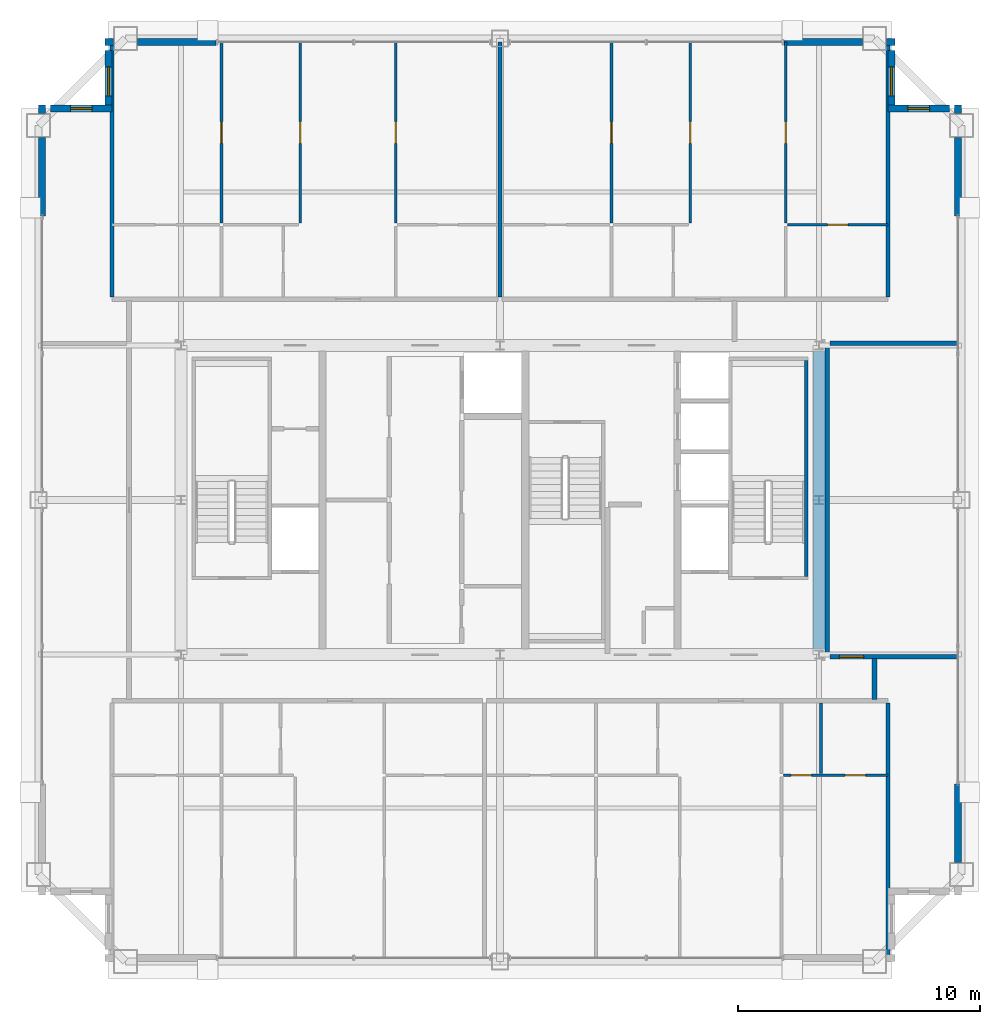
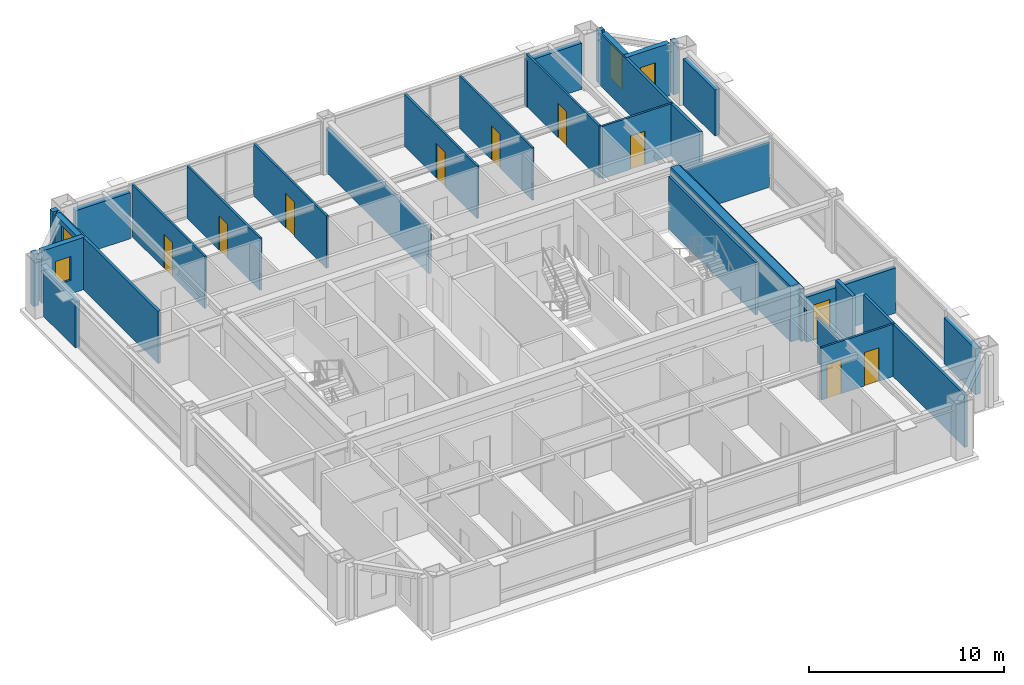
# One storey, part 33 of 35: 32 walls, 10 doors, 4 windows, 14 openings.
"""IFC4 building model written with IfcOpenShell, lengths in metres."""

from ifc_helpers import new_model, si_unit, direction, frame, frame_2d, origin, place, context, subcontext, project, spatial, rectangle, extrude, source, transform, mapped, material, layer, layer_set, type_object, element, fill, save


model = new_model("IFC4")

# Units and contexts
model_context = context("Model", 3, precision=1e-05, world=origin(), true_north=direction((0.0, 1.0)))
body_context = subcontext(model_context, "Body", "Model", "MODEL_VIEW")
ifc_project = project(units=[si_unit("LENGTHUNIT", "METRE"), si_unit("AREAUNIT", "SQUARE_METRE"), si_unit("VOLUMEUNIT", "CUBIC_METRE"), si_unit("PLANEANGLEUNIT", "RADIAN"), si_unit("MASSUNIT", "GRAM", prefix="KILO"), si_unit("THERMODYNAMICTEMPERATUREUNIT", "KELVIN"), si_unit("POWERUNIT", "WATT")], contexts=[model_context])

# Site, building, storey
site_placement = place(None, origin())
site = spatial("IfcSite", under=ifc_project, at=site_placement, CompositionType="ELEMENT")
building_placement = place(site_placement, origin())
building = spatial("IfcBuilding", under=site, at=building_placement, Name="Yuzanri Waterfront Tower", CompositionType="ELEMENT")
storey_placement = place(building_placement, frame((0.0, 0.0, 296.10009765625)))
storey = spatial("IfcBuildingStorey", under=building, at=storey_placement, Name="L79", CompositionType="ELEMENT", Elevation=296.10009765625)

# Wall, openings, doors
ifc_material_1 = material(Name="Moisture-Resistant Gypsum Stud Wall", Category="gypsum")
ifc_layer_1 = layer(ifc_material_1, 0.1201171875)
ifc_layer_set_1 = layer_set([ifc_layer_1], Name="Moisture-Resistant Gypsum Stud Wall")
wall_type_1 = type_object("IfcWallType", Name="Bathroom and Kitchen Wet Partition 120", PredefinedType="PARTITIONING", material=ifc_layer_set_1)
wall_1_placement = place(storey_placement, frame((48.738037109375, 14.409912109375, 0.0), z_axis=(0.0, 0.0, 1.0), x_axis=(1.0, 0.0, 0.0)))
wall_1 = element("IfcWall", 1, at=wall_1_placement, inside=storey, type_object=wall_type_1, Name="L79 Partition UW-L79-HS2-SUB-6-N", PredefinedType="PARTITIONING", context=body_context, shape_type="SweptSolid", body=[
    extrude(rectangle(XDim=4.322021484375, YDim=0.1201171875, at=frame_2d((2.1611328125, 0.0))), origin(), (0.0, 0.0, 1.0), 3.27978515625),
])
opening_1_placement = place(wall_1_placement, frame((2.547119140625, 0.0, 0.0)))
opening_1 = element("IfcOpeningElement", 2, at=opening_1_placement, cuts=wall_1, Name="Opening ID-0850", PredefinedType="OPENING", context=body_context, shape_type="SweptSolid", body=[
    extrude(rectangle(XDim=0.85009765625, YDim=2.10009765625, at=frame_2d((0.425048828125, 1.050048828125))), frame((0.0, 0.074951171875, 0.0), z_axis=(0.0, -1.0, 0.0), x_axis=(1.0, 0.0, 0.0)), (0.0, 0.0, 1.0), 0.14990234375),
])
opening_2_placement = place(wall_1_placement, frame((0.305908203125, 0.0, 0.0)))
opening_2 = element("IfcOpeningElement", 3, at=opening_2_placement, cuts=wall_1, Name="Opening ID-0850", PredefinedType="OPENING", context=body_context, shape_type="SweptSolid", body=[
    extrude(rectangle(XDim=0.85009765625, YDim=2.10009765625, at=frame_2d((0.425048828125, 1.050048828125))), frame((0.0, 0.074951171875, 0.0), z_axis=(0.0, -1.0, 0.0), x_axis=(1.0, 0.0, 0.0)), (0.0, 0.0, 1.0), 0.14990234375),
])
ifc_material_2 = material(Name="Moisture-Resistant Lacquered Timber", Category="wood")
door_type_1 = type_object("IfcDoorType", Name="En-Suite Bathroom and Kitchen Swing Door 850x2100", OperationType="NOTDEFINED", PredefinedType="DOOR", material=ifc_material_2)
shared_shape_1 = source(origin(), body_context, "Body", "SweptSolid", [
    extrude(rectangle(XDim=0.85009765625, YDim=2.10009765625, at=frame_2d((0.425048828125, 1.050048828125))), frame((0.0, 0.02490234375, 0.0), z_axis=(0.0, -1.0, 0.0), x_axis=(1.0, 0.0, 0.0)), (0.0, 0.0, 1.0), 0.050048828125),
])
door_1_placement = place(opening_1_placement, origin())
door_1 = element("IfcDoor", 4, at=door_1_placement, inside=storey, type_object=door_type_1, Name="L79 Suite Interior Room Door", OperationType="SINGLE_SWING_LEFT", OverallHeight=2.10009765625, OverallWidth=0.85009765625, PredefinedType="DOOR", context=body_context, shape_type="MappedRepresentation", body=[
    mapped(shared_shape_1, transform((0.0, 0.0, 0.0), scale=1.0)),
])
fill(opening_1, door_1)
door_2_placement = place(opening_2_placement, origin())
door_2 = element("IfcDoor", 5, at=door_2_placement, inside=storey, type_object=door_type_1, Name="L79 Suite Interior Room Door", OperationType="SINGLE_SWING_RIGHT", OverallHeight=2.10009765625, OverallWidth=0.85009765625, PredefinedType="DOOR", context=body_context, shape_type="MappedRepresentation", body=[
    mapped(shared_shape_1, transform((0.0, 0.0, 0.0), scale=1.0)),
])
fill(opening_2, door_2)

# Wall, opening, door
wall_2_placement = place(storey_placement, frame((25.469970703125, 37.27001953125, 0.0), z_axis=(0.0, 0.0, 1.0), x_axis=(0.0, 1.0, 0.0)))
wall_2 = element("IfcWall", 6, at=wall_2_placement, inside=storey, type_object=wall_type_1, Name="L79 Partition UW-L79-HN1-SUB-4-E", PredefinedType="PARTITIONING", context=body_context, shape_type="SweptSolid", body=[
    extrude(rectangle(XDim=7.47998046875, YDim=0.1201171875, at=frame_2d((3.739990234375, 0.0))), origin(), (0.0, 0.0, 1.0), 3.27978515625),
])
opening_3_placement = place(wall_2_placement, frame((3.2900390625, 0.0, 0.0)))
opening_3 = element("IfcOpeningElement", 7, at=opening_3_placement, cuts=wall_2, Name="Opening ID-0900", PredefinedType="OPENING", context=body_context, shape_type="SweptSolid", body=[
    extrude(rectangle(XDim=0.89990234375, YDim=2.14990234375, at=frame_2d((0.449951171875, 1.074951171875))), frame((0.0, 0.074951171875, 0.0), z_axis=(0.0, -1.0, 0.0), x_axis=(1.0, 0.0, 0.0)), (0.0, 0.0, 1.0), 0.14990234375),
])
ifc_material_3 = material(Name="Stained Walnut Veneer Timber", Category="wood")
door_type_2 = type_object("IfcDoorType", Name="Bedroom and Study Interior Swing Door 900x2150", OperationType="NOTDEFINED", PredefinedType="DOOR", material=ifc_material_3)
shared_shape_2 = source(origin(), body_context, "Body", "SweptSolid", [
    extrude(rectangle(XDim=0.89990234375, YDim=2.14990234375, at=frame_2d((0.449951171875, 1.074951171875))), frame((0.0, 0.02490234375, 0.0), z_axis=(0.0, -1.0, 0.0), x_axis=(1.0, 0.0, 0.0)), (0.0, 0.0, 1.0), 0.050048828125),
])
door_3_placement = place(opening_3_placement, origin())
door_3 = element("IfcDoor", 8, at=door_3_placement, inside=storey, type_object=door_type_2, Name="L79 Suite Interior Room Door", OperationType="SINGLE_SWING_RIGHT", OverallHeight=2.14990234375, OverallWidth=0.89990234375, PredefinedType="DOOR", context=body_context, shape_type="MappedRepresentation", body=[
    mapped(shared_shape_2, transform((0.0, 0.0, 0.0), scale=1.0)),
])
fill(opening_3, door_3)

wall_3_placement = place(storey_placement, frame((32.68505859375, 37.27001953125, 0.0), z_axis=(0.0, 0.0, 1.0), x_axis=(0.0, 1.0, 0.0)))
wall_3 = element("IfcWall", 9, at=wall_3_placement, inside=storey, type_object=wall_type_1, Name="L79 Partition UW-L79-HN1-SUB-5-W", PredefinedType="PARTITIONING", context=body_context, shape_type="SweptSolid", body=[
    extrude(rectangle(XDim=7.47998046875, YDim=0.1201171875, at=frame_2d((3.739990234375, 0.0))), origin(), (0.0, 0.0, 1.0), 3.27978515625),
])
opening_4_placement = place(wall_3_placement, frame((3.2900390625, 0.0, 0.0)))
opening_4 = element("IfcOpeningElement", 10, at=opening_4_placement, cuts=wall_3, Name="Opening ID-0900", PredefinedType="OPENING", context=body_context, shape_type="SweptSolid", body=[
    extrude(rectangle(XDim=0.89990234375, YDim=2.14990234375, at=frame_2d((0.449951171875, 1.074951171875))), frame((0.0, 0.074951171875, 0.0), z_axis=(0.0, -1.0, 0.0), x_axis=(1.0, 0.0, 0.0)), (0.0, 0.0, 1.0), 0.14990234375),
])
door_4_placement = place(opening_4_placement, origin())
door_4 = element("IfcDoor", 11, at=door_4_placement, inside=storey, type_object=door_type_2, Name="L79 Suite Interior Room Door", OperationType="SINGLE_SWING_LEFT", OverallHeight=2.14990234375, OverallWidth=0.89990234375, PredefinedType="DOOR", context=body_context, shape_type="MappedRepresentation", body=[
    mapped(shared_shape_2, transform((0.0, 0.0, 0.0), scale=1.0)),
])
fill(opening_4, door_4)

wall_4_placement = place(storey_placement, frame((28.73388671875, 37.27001953125, 0.0), z_axis=(0.0, 0.0, 1.0), x_axis=(0.0, 1.0, 0.0)))
wall_4 = element("IfcWall", 12, at=wall_4_placement, inside=storey, type_object=wall_type_1, Name="L79 Partition UW-L79-HN1-SUB-6-E", PredefinedType="PARTITIONING", context=body_context, shape_type="SweptSolid", body=[
    extrude(rectangle(XDim=7.47998046875, YDim=0.1201171875, at=frame_2d((3.739990234375, 0.0))), origin(), (0.0, 0.0, 1.0), 3.27978515625),
])
opening_5_placement = place(wall_4_placement, frame((3.2900390625, 0.0, 0.0)))
opening_5 = element("IfcOpeningElement", 13, at=opening_5_placement, cuts=wall_4, Name="Opening ID-0900", PredefinedType="OPENING", context=body_context, shape_type="SweptSolid", body=[
    extrude(rectangle(XDim=0.89990234375, YDim=2.14990234375, at=frame_2d((0.449951171875, 1.074951171875))), frame((0.0, 0.074951171875, 0.0), z_axis=(0.0, -1.0, 0.0), x_axis=(1.0, 0.0, 0.0)), (0.0, 0.0, 1.0), 0.14990234375),
])
door_5_placement = place(opening_5_placement, origin())
door_5 = element("IfcDoor", 14, at=door_5_placement, inside=storey, type_object=door_type_2, Name="L79 Suite Interior Room Door", OperationType="SINGLE_SWING_RIGHT", OverallHeight=2.14990234375, OverallWidth=0.89990234375, PredefinedType="DOOR", context=body_context, shape_type="MappedRepresentation", body=[
    mapped(shared_shape_2, transform((0.0, 0.0, 0.0), scale=1.0)),
])
fill(opening_5, door_5)

wall_5_placement = place(storey_placement, frame((48.905029296875, 37.18994140625, 0.0), z_axis=(0.0, 0.0, 1.0), x_axis=(1.0, 0.0, 0.0)))
wall_5 = element("IfcWall", 15, at=wall_5_placement, inside=storey, type_object=wall_type_1, Name="L79 Partition UW-L79-HN2-SUB-3-N", PredefinedType="PARTITIONING", context=body_context, shape_type="SweptSolid", body=[
    extrude(rectangle(XDim=4.155029296875, YDim=0.1201171875, at=frame_2d((2.07763671875, 0.0))), origin(), (0.0, 0.0, 1.0), 3.27978515625),
])
opening_6_placement = place(wall_5_placement, frame((1.652587890625, 0.0, 0.0)))
opening_6 = element("IfcOpeningElement", 16, at=opening_6_placement, cuts=wall_5, Name="Opening ID-0850", PredefinedType="OPENING", context=body_context, shape_type="SweptSolid", body=[
    extrude(rectangle(XDim=0.85009765625, YDim=2.10009765625, at=frame_2d((0.425048828125, 1.050048828125))), frame((0.0, 0.074951171875, 0.0), z_axis=(0.0, -1.0, 0.0), x_axis=(1.0, 0.0, 0.0)), (0.0, 0.0, 1.0), 0.14990234375),
])
door_6_placement = place(opening_6_placement, origin())
door_6 = element("IfcDoor", 17, at=door_6_placement, inside=storey, type_object=door_type_1, Name="L79 Suite Interior Room Door", OperationType="SINGLE_SWING_RIGHT", OverallHeight=2.10009765625, OverallWidth=0.85009765625, PredefinedType="DOOR", context=body_context, shape_type="MappedRepresentation", body=[
    mapped(shared_shape_1, transform((0.0, 0.0, 0.0), scale=1.0)),
])
fill(opening_6, door_6)

wall_6_placement = place(storey_placement, frame((41.610107421875, 37.27001953125, 0.0), z_axis=(0.0, 0.0, 1.0), x_axis=(0.0, 1.0, 0.0)))
wall_6 = element("IfcWall", 18, at=wall_6_placement, inside=storey, type_object=wall_type_1, Name="L79 Partition UW-L79-HN2-SUB-4-E", PredefinedType="PARTITIONING", context=body_context, shape_type="SweptSolid", body=[
    extrude(rectangle(XDim=7.47998046875, YDim=0.1201171875, at=frame_2d((3.739990234375, 0.0))), origin(), (0.0, 0.0, 1.0), 3.27978515625),
])
opening_7_placement = place(wall_6_placement, frame((3.2900390625, 0.0, 0.0)))
opening_7 = element("IfcOpeningElement", 19, at=opening_7_placement, cuts=wall_6, Name="Opening ID-0900", PredefinedType="OPENING", context=body_context, shape_type="SweptSolid", body=[
    extrude(rectangle(XDim=0.89990234375, YDim=2.14990234375, at=frame_2d((0.449951171875, 1.074951171875))), frame((0.0, 0.074951171875, 0.0), z_axis=(0.0, -1.0, 0.0), x_axis=(1.0, 0.0, 0.0)), (0.0, 0.0, 1.0), 0.14990234375),
])
door_7_placement = place(opening_7_placement, origin())
door_7 = element("IfcDoor", 20, at=door_7_placement, inside=storey, type_object=door_type_2, Name="L79 Suite Interior Room Door", OperationType="SINGLE_SWING_LEFT", OverallHeight=2.14990234375, OverallWidth=0.89990234375, PredefinedType="DOOR", context=body_context, shape_type="MappedRepresentation", body=[
    mapped(shared_shape_2, transform((0.0, 0.0, 0.0), scale=1.0)),
])
fill(opening_7, door_7)

wall_7_placement = place(storey_placement, frame((48.824951171875, 37.27001953125, 0.0), z_axis=(0.0, 0.0, 1.0), x_axis=(0.0, 1.0, 0.0)))
wall_7 = element("IfcWall", 21, at=wall_7_placement, inside=storey, type_object=wall_type_1, Name="L79 Partition UW-L79-HN2-SUB-5-W", PredefinedType="PARTITIONING", context=body_context, shape_type="SweptSolid", body=[
    extrude(rectangle(XDim=7.47998046875, YDim=0.1201171875, at=frame_2d((3.739990234375, 0.0))), origin(), (0.0, 0.0, 1.0), 3.27978515625),
])
opening_8_placement = place(wall_7_placement, frame((3.2900390625, 0.0, 0.0)))
opening_8 = element("IfcOpeningElement", 22, at=opening_8_placement, cuts=wall_7, Name="Opening ID-0900", PredefinedType="OPENING", context=body_context, shape_type="SweptSolid", body=[
    extrude(rectangle(XDim=0.89990234375, YDim=2.14990234375, at=frame_2d((0.449951171875, 1.074951171875))), frame((0.0, 0.074951171875, 0.0), z_axis=(0.0, -1.0, 0.0), x_axis=(1.0, 0.0, 0.0)), (0.0, 0.0, 1.0), 0.14990234375),
])
door_8_placement = place(opening_8_placement, origin())
door_8 = element("IfcDoor", 23, at=door_8_placement, inside=storey, type_object=door_type_2, Name="L79 Suite Interior Room Door", OperationType="SINGLE_SWING_RIGHT", OverallHeight=2.14990234375, OverallWidth=0.89990234375, PredefinedType="DOOR", context=body_context, shape_type="MappedRepresentation", body=[
    mapped(shared_shape_2, transform((0.0, 0.0, 0.0), scale=1.0)),
])
fill(opening_8, door_8)

wall_8_placement = place(storey_placement, frame((44.8740234375, 37.27001953125, 0.0), z_axis=(0.0, 0.0, 1.0), x_axis=(0.0, 1.0, 0.0)))
wall_8 = element("IfcWall", 24, at=wall_8_placement, inside=storey, type_object=wall_type_1, Name="L79 Partition UW-L79-HN2-SUB-6-E", PredefinedType="PARTITIONING", context=body_context, shape_type="SweptSolid", body=[
    extrude(rectangle(XDim=7.47998046875, YDim=0.1201171875, at=frame_2d((3.739990234375, 0.0))), origin(), (0.0, 0.0, 1.0), 3.27978515625),
])
opening_9_placement = place(wall_8_placement, frame((3.2900390625, 0.0, 0.0)))
opening_9 = element("IfcOpeningElement", 25, at=opening_9_placement, cuts=wall_8, Name="Opening ID-0900", PredefinedType="OPENING", context=body_context, shape_type="SweptSolid", body=[
    extrude(rectangle(XDim=0.89990234375, YDim=2.14990234375, at=frame_2d((0.449951171875, 1.074951171875))), frame((0.0, 0.074951171875, 0.0), z_axis=(0.0, -1.0, 0.0), x_axis=(1.0, 0.0, 0.0)), (0.0, 0.0, 1.0), 0.14990234375),
])
door_9_placement = place(opening_9_placement, origin())
door_9 = element("IfcDoor", 26, at=door_9_placement, inside=storey, type_object=door_type_2, Name="L79 Suite Interior Room Door", OperationType="SINGLE_SWING_LEFT", OverallHeight=2.14990234375, OverallWidth=0.89990234375, PredefinedType="DOOR", context=body_context, shape_type="MappedRepresentation", body=[
    mapped(shared_shape_2, transform((0.0, 0.0, 0.0), scale=1.0)),
])
fill(opening_9, door_9)

# Wall, opening, window
ifc_material_4 = material(Name="Honed Chongqing Dark Basalt Stone", Category="masonry")
ifc_layer_2 = layer(ifc_material_4, 0.300048828125)
ifc_layer_set_2 = layer_set([ifc_layer_2], Name="Honed Chongqing Dark Basalt Stone")
wall_type_2 = type_object("IfcWallType", Name="Bronze Rainscreen Insulated Spandrel Portal Wall 300", PredefinedType="SOLIDWALL", material=ifc_layer_set_2)
wall_9_placement = place(storey_placement, frame((20.949951171875, 42.0, 0.0), z_axis=(0.0, 0.0, 1.0), x_axis=(-1.0, 0.0, 0.0)))
wall_9 = element("IfcWall", 27, at=wall_9_placement, inside=storey, type_object=wall_type_2, Name="L79 Notched Corner Masonry Wall NW-X", PredefinedType="SOLIDWALL", context=body_context, shape_type="SweptSolid", body=[
    extrude(rectangle(XDim=2.550048828125, YDim=0.300048828125, at=frame_2d((1.27490234375, 0.0))), origin(), (0.0, 0.0, 1.0), 3.27978515625),
])
opening_10_placement = place(wall_9_placement, frame((0.824951171875, 0.0, 0.85009765625)))
opening_10 = element("IfcOpeningElement", 28, at=opening_10_placement, cuts=wall_9, Name="Opening WN-05", PredefinedType="OPENING", context=body_context, shape_type="SweptSolid", body=[
    extrude(rectangle(XDim=0.89990234375, YDim=1.5, at=frame_2d((0.449951171875, 0.75))), frame((0.0, 0.1650390625, 0.0), z_axis=(0.0, -1.0, 0.0), x_axis=(1.0, 0.0, 0.0)), (0.0, 0.0, 1.0), 0.329833984375),
])
ifc_material_5 = material(Name="Double-Silver Low-E Insulated Glass", Category="glass")
window_type_1 = type_object("IfcWindowType", Name="Anodized Bronze Service and Stairwell Smoke-Vent Window 900x1500", PartitioningType="SINGLE_PANEL", PredefinedType="WINDOW", material=ifc_material_5)
shared_shape_3 = source(origin(), body_context, "Body", "SweptSolid", [
    extrude(rectangle(XDim=0.89990234375, YDim=1.5, at=frame_2d((0.449951171875, 0.75))), frame((0.0, 0.030029296875, 0.0), z_axis=(0.0, -1.0, 0.0), x_axis=(1.0, 0.0, 0.0)), (0.0, 0.0, 1.0), 0.06005859375),
])
window_1_placement = place(opening_10_placement, origin())
window_1 = element("IfcWindow", 29, at=window_1_placement, inside=storey, type_object=window_type_1, Name="L79 Notched Corner Window NW-X", OverallHeight=1.5, OverallWidth=0.89990234375, PartitioningType="SINGLE_PANEL", PredefinedType="WINDOW", context=body_context, shape_type="MappedRepresentation", body=[
    mapped(shared_shape_3, transform((0.0, 0.0, 0.0), scale=1.0)),
])
fill(opening_10, window_1)

wall_10_placement = place(storey_placement, frame((20.800048828125, 44.39990234375, 0.0), z_axis=(0.0, 0.0, 1.0), x_axis=(0.0, -1.0, 0.0)))
wall_10 = element("IfcWall", 30, at=wall_10_placement, inside=storey, type_object=wall_type_2, Name="L79 Notched Corner Masonry Wall NW-Y", PredefinedType="SOLIDWALL", context=body_context, shape_type="SweptSolid", body=[
    extrude(rectangle(XDim=2.5498046875, YDim=0.300048828125, at=frame_2d((1.27490234375, 0.0))), origin(), (0.0, 0.0, 1.0), 3.27978515625),
])
opening_11_placement = place(wall_10_placement, frame((0.675048828125, 0.0, 0.85009765625)))
opening_11 = element("IfcOpeningElement", 31, at=opening_11_placement, cuts=wall_10, Name="Opening WN-02", PredefinedType="OPENING", context=body_context, shape_type="SweptSolid", body=[
    extrude(rectangle(XDim=1.199951171875, YDim=2.10009765625, at=frame_2d((0.60009765625, 1.050048828125))), frame((0.0, 0.1650390625, 0.0), z_axis=(0.0, -1.0, 0.0), x_axis=(1.0, 0.0, 0.0)), (0.0, 0.0, 1.0), 0.329833984375),
])
ifc_material_6 = material(Name="Double-Silver Low-E Insulated Glass", Category="glass")
window_type_2 = type_object("IfcWindowType", Name="Anodized Bronze Notched Corner Deep-Set Slot Window 1200x2100", PartitioningType="SINGLE_PANEL", PredefinedType="WINDOW", material=ifc_material_6)
shared_shape_4 = source(origin(), body_context, "Body", "SweptSolid", [
    extrude(rectangle(XDim=1.199951171875, YDim=2.10009765625, at=frame_2d((0.60009765625, 1.050048828125))), frame((0.0, 0.030029296875, 0.0), z_axis=(0.0, -1.0, 0.0), x_axis=(1.0, 0.0, 0.0)), (0.0, 0.0, 1.0), 0.06005859375),
])
window_2_placement = place(opening_11_placement, origin())
window_2 = element("IfcWindow", 32, at=window_2_placement, inside=storey, type_object=window_type_2, Name="L79 Notched Corner Window NW-Y", OverallHeight=2.10009765625, OverallWidth=1.199951171875, PartitioningType="SINGLE_PANEL", PredefinedType="WINDOW", context=body_context, shape_type="MappedRepresentation", body=[
    mapped(shared_shape_4, transform((0.0, 0.0, 0.0), scale=1.0)),
])
fill(opening_11, window_2)

wall_11_placement = place(storey_placement, frame((55.60009765625, 42.0, 0.0), z_axis=(0.0, 0.0, 1.0), x_axis=(-1.0, 0.0, 0.0)))
wall_11 = element("IfcWall", 33, at=wall_11_placement, inside=storey, type_object=wall_type_2, Name="L79 Notched Corner Masonry Wall NE-X", PredefinedType="SOLIDWALL", context=body_context, shape_type="SweptSolid", body=[
    extrude(rectangle(XDim=2.550048828125, YDim=0.300048828125, at=frame_2d((1.27490234375, 0.0))), origin(), (0.0, 0.0, 1.0), 3.27978515625),
])
opening_12_placement = place(wall_11_placement, frame((0.824951171875, 0.0, 0.85009765625)))
opening_12 = element("IfcOpeningElement", 34, at=opening_12_placement, cuts=wall_11, Name="Opening WN-05", PredefinedType="OPENING", context=body_context, shape_type="SweptSolid", body=[
    extrude(rectangle(XDim=0.89990234375, YDim=1.5, at=frame_2d((0.449951171875, 0.75))), frame((0.0, 0.1650390625, 0.0), z_axis=(0.0, -1.0, 0.0), x_axis=(1.0, 0.0, 0.0)), (0.0, 0.0, 1.0), 0.329833984375),
])
window_3_placement = place(opening_12_placement, origin())
window_3 = element("IfcWindow", 35, at=window_3_placement, inside=storey, type_object=window_type_1, Name="L79 Notched Corner Window NE-X", OverallHeight=1.5, OverallWidth=0.89990234375, PartitioningType="SINGLE_PANEL", PredefinedType="WINDOW", context=body_context, shape_type="MappedRepresentation", body=[
    mapped(shared_shape_3, transform((0.0, 0.0, 0.0), scale=1.0)),
])
fill(opening_12, window_3)

wall_12_placement = place(storey_placement, frame((53.199951171875, 41.85009765625, 0.0), z_axis=(0.0, 0.0, 1.0), x_axis=(0.0, 1.0, 0.0)))
wall_12 = element("IfcWall", 36, at=wall_12_placement, inside=storey, type_object=wall_type_2, Name="L79 Notched Corner Masonry Wall NE-Y", PredefinedType="SOLIDWALL", context=body_context, shape_type="SweptSolid", body=[
    extrude(rectangle(XDim=2.5498046875, YDim=0.300048828125, at=frame_2d((1.27490234375, 0.0))), origin(), (0.0, 0.0, 1.0), 3.27978515625),
])
opening_13_placement = place(wall_12_placement, frame((0.675048828125, 0.0, 0.85009765625)))
opening_13 = element("IfcOpeningElement", 37, at=opening_13_placement, cuts=wall_12, Name="Opening WN-02", PredefinedType="OPENING", context=body_context, shape_type="SweptSolid", body=[
    extrude(rectangle(XDim=1.199951171875, YDim=2.10009765625, at=frame_2d((0.60009765625, 1.050048828125))), frame((0.0, 0.1650390625, 0.0), z_axis=(0.0, -1.0, 0.0), x_axis=(1.0, 0.0, 0.0)), (0.0, 0.0, 1.0), 0.329833984375),
])
window_4_placement = place(opening_13_placement, origin())
window_4 = element("IfcWindow", 38, at=window_4_placement, inside=storey, type_object=window_type_2, Name="L79 Notched Corner Window NE-Y", OverallHeight=2.10009765625, OverallWidth=1.199951171875, PartitioningType="SINGLE_PANEL", PredefinedType="WINDOW", context=body_context, shape_type="MappedRepresentation", body=[
    mapped(shared_shape_4, transform((0.0, 0.0, 0.0), scale=1.0)),
])
fill(opening_13, window_4)

# Wall, opening, door
ifc_material_7 = material(Name="Autoclaved Aerated Concrete Blockwork", Category="masonry")
ifc_layer_3 = layer(ifc_material_7, 0.199951171875)
ifc_layer_set_3 = layer_set([ifc_layer_3], Name="Autoclaved Aerated Concrete Blockwork")
wall_type_3 = type_object("IfcWallType", Name="Corridor and Unit Party Fire Wall 200", PredefinedType="PARTITIONING", material=ifc_layer_set_3)
wall_13_placement = place(storey_placement, frame((50.64990234375, 19.31005859375, 0.0), z_axis=(0.0, 0.0, 1.0), x_axis=(1.0, 0.0, 0.0)))
wall_13 = element("IfcWall", 39, at=wall_13_placement, inside=storey, type_object=wall_type_3, Name="L79 Partition UW-L79-050-CS", PredefinedType="PARTITIONING", context=body_context, shape_type="SweptSolid", body=[
    extrude(rectangle(XDim=5.300048828125, YDim=0.199951171875, at=frame_2d((2.64990234375, 0.0))), origin(), (0.0, 0.0, 1.0), 2.824951171875),
])
opening_14_placement = place(wall_13_placement, frame((0.39990234375, 0.0, 0.0)))
opening_14 = element("IfcOpeningElement", 40, at=opening_14_placement, cuts=wall_13, Name="Opening FD-1000", PredefinedType="OPENING", context=body_context, shape_type="SweptSolid", body=[
    extrude(rectangle(XDim=1.0, YDim=2.199951171875, at=frame_2d((0.5, 1.10009765625))), frame((0.0, 0.11474609375, 0.0), z_axis=(0.0, -1.0, 0.0), x_axis=(1.0, 0.0, 0.0)), (0.0, 0.0, 1.0), 0.229736328125),
])
ifc_material_8 = material(Name="Engineered Oak Fire-Rated Timber", Category="wood")
door_type_3 = type_object("IfcDoorType", Name="Guestroom and Apartment Entrance Fire Door 1000x2200", OperationType="NOTDEFINED", PredefinedType="DOOR", material=ifc_material_8)
shared_shape_5 = source(origin(), body_context, "Body", "SweptSolid", [
    extrude(rectangle(XDim=1.0, YDim=2.199951171875, at=frame_2d((0.5, 1.10009765625))), frame((0.0, 0.02490234375, 0.0), z_axis=(0.0, -1.0, 0.0), x_axis=(1.0, 0.0, 0.0)), (0.0, 0.0, 1.0), 0.050048828125),
])
door_10_placement = place(opening_14_placement, origin())
door_10 = element("IfcDoor", 41, at=door_10_placement, inside=storey, type_object=door_type_3, Name="L79 High-Rise E Wellness Gym Studio Entrance Door", OperationType="SINGLE_SWING_LEFT", OverallHeight=2.199951171875, OverallWidth=1.0, PredefinedType="DOOR", context=body_context, shape_type="MappedRepresentation", body=[
    mapped(shared_shape_5, transform((0.0, 0.0, 0.0), scale=1.0)),
])
fill(opening_14, door_10)

# Walls
ifc_material_9 = material(Name="Concrete C45", Category="concrete")
ifc_layer_4 = layer(ifc_material_9, 0.47998046875)
ifc_layer_set_4 = layer_set([ifc_layer_4], Name="Concrete C45")
wall_type_4 = type_object("IfcWallType", Name="Concrete C45 High-Rise Core Shear Wall 480", PredefinedType="SHEAR", material=ifc_layer_set_4)
shared_shape_6 = source(origin(), body_context, "Body", "SweptSolid", [
    extrude(rectangle(XDim=12.320068359375, YDim=0.47998046875, at=frame_2d((6.16015625, 0.0))), origin(), (0.0, 0.0, 1.0), 3.5),
])
wall_14_placement = place(storey_placement, frame((50.199951171875, 19.639892578125, 0.0), z_axis=(0.0, 0.0, 1.0), x_axis=(0.0, 1.0, 0.0)))
element("IfcWall", 42, at=wall_14_placement, inside=storey, type_object=wall_type_4, Name="L79 Core East Shear Wall", PredefinedType="SHEAR", context=body_context, shape_type="MappedRepresentation", body=[
    mapped(shared_shape_6, transform((0.0, 0.0, 0.0), scale=1.0)),
])
shared_shape_7 = source(origin(), body_context, "Body", "SweptSolid", [
    extrude(rectangle(XDim=0.35009765625, YDim=0.300048828125, at=frame_2d((0.175048828125, 0.0))), origin(), (0.0, 0.0, 1.0), 3.27978515625),
])
for number, where, z_axis, x_axis, name in (
    (43, (20.64990234375, 44.75, 0.0), (0.0, 0.0, 1.0), (1.0, 0.0, 0.0), "L79 Corner Column Shoulder Return CNW"),
    (44, (53.0, 44.75, 0.0), (0.0, 0.0, 1.0), (1.0, 0.0, 0.0), "L79 Corner Column Shoulder Return CNE"),
):
    element("IfcWall", number, at=place(storey_placement, frame(where, z_axis=z_axis, x_axis=x_axis)), inside=storey, type_object=wall_type_2, Name=name, PredefinedType="SOLIDWALL", context=body_context, shape_type="MappedRepresentation", body=[
        mapped(shared_shape_7, transform((0.0, 0.0, 0.0), scale=1.0)),
    ])
shared_shape_8 = source(origin(), body_context, "Body", "SweptSolid", [
    extrude(rectangle(XDim=0.349853515625, YDim=0.300048828125, at=frame_2d((0.1748046875, 0.0))), origin(), (0.0, 0.0, 1.0), 3.27978515625),
])
for number, where, z_axis, x_axis, name in (
    (45, (18.050048828125, 41.800048828125, 0.0), (0.0, 0.0, 1.0), (0.0, 1.0, 0.0), "L79 Corner Column Shoulder Return CWN"),
    (46, (55.949951171875, 41.800048828125, 0.0), (0.0, 0.0, 1.0), (0.0, 1.0, 0.0), "L79 Corner Column Shoulder Return CEN"),
):
    element("IfcWall", number, at=place(storey_placement, frame(where, z_axis=z_axis, x_axis=x_axis)), inside=storey, type_object=wall_type_2, Name=name, PredefinedType="SOLIDWALL", context=body_context, shape_type="MappedRepresentation", body=[
        mapped(shared_shape_8, transform((0.0, 0.0, 0.0), scale=1.0)),
    ])
shared_shape_9 = source(origin(), body_context, "Body", "SweptSolid", [
    extrude(rectangle(XDim=3.25, YDim=0.300048828125, at=frame_2d((1.625, 0.0))), origin(), (0.0, 0.0, 1.0), 2.885009765625),
])
for number, where, z_axis, x_axis, name in (
    (47, (22.0, 44.75, 0.0), (0.0, 0.0, 1.0), (1.0, 0.0, 0.0), "L79 N Left Braced Masonry Shoulder"),
    (48, (48.75, 44.75, 0.0), (0.0, 0.0, 1.0), (1.0, 0.0, 0.0), "L79 N Right Braced Masonry Shoulder"),
    (49, (18.050048828125, 37.550048828125, 0.0), (0.0, 0.0, 1.0), (0.0, 1.0, 0.0), "L79 W Right Braced Masonry Shoulder"),
    (50, (55.949951171875, 10.800048828125, 0.0), (0.0, 0.0, 1.0), (0.0, 1.0, 0.0), "L79 E Left Braced Masonry Shoulder"),
    (51, (55.949951171875, 37.550048828125, 0.0), (0.0, 0.0, 1.0), (0.0, 1.0, 0.0), "L79 E Right Braced Masonry Shoulder"),
):
    element("IfcWall", number, at=place(storey_placement, frame(where, z_axis=z_axis, x_axis=x_axis)), inside=storey, type_object=wall_type_2, Name=name, PredefinedType="SOLIDWALL", context=body_context, shape_type="MappedRepresentation", body=[
        mapped(shared_shape_9, transform((0.0, 0.0, 0.0), scale=1.0)),
    ])
ifc_material_10 = material(Name="Concrete C40", Category="concrete")
ifc_layer_5 = layer(ifc_material_10, 0.139892578125)
ifc_layer_set_5 = layer_set([ifc_layer_5], Name="Concrete C40")
wall_type_5 = type_object("IfcWallType", Name="Core Stair Liner and Hoistway Shaft Wall 140", PredefinedType="SOLIDWALL", material=ifc_layer_set_5)
shared_shape_10 = source(origin(), body_context, "Body", "SweptSolid", [
    extrude(rectangle(XDim=8.940185546875, YDim=0.139892578125, at=frame_2d((4.47021484375, 0.0))), origin(), (0.0, 0.0, 1.0), 3.27978515625),
])
wall_15_placement = place(storey_placement, frame((49.669921875, 22.639892578125, 0.0), z_axis=(0.0, 0.0, 1.0), x_axis=(0.0, 1.0, 0.0)))
element("IfcWall", 52, at=wall_15_placement, inside=storey, type_object=wall_type_5, Name="L79 Stair ST-02 East Shaft Wall", PredefinedType="SOLIDWALL", context=body_context, shape_type="MappedRepresentation", body=[
    mapped(shared_shape_10, transform((0.0, 0.0, 0.0), scale=1.0)),
])
shared_shape_11 = source(origin(), body_context, "Body", "SweptSolid", [
    extrude(rectangle(XDim=1.699951171875, YDim=0.199951171875, at=frame_2d((0.85009765625, 0.0))), origin(), (0.0, 0.0, 1.0), 3.27978515625),
])
wall_16_placement = place(storey_placement, frame((52.5, 17.550048828125, 0.0), z_axis=(0.0, 0.0, 1.0), x_axis=(0.0, 1.0, 0.0)))
element("IfcWall", 53, at=wall_16_placement, inside=storey, type_object=wall_type_3, Name="L79 South Foyer East End Wall", PredefinedType="PARTITIONING", context=body_context, shape_type="MappedRepresentation", body=[
    mapped(shared_shape_11, transform((0.0, 0.0, 0.0), scale=1.0)),
])
shared_shape_12 = source(origin(), body_context, "Body", "SweptSolid", [
    extrude(rectangle(XDim=12.780029296875, YDim=0.199951171875, at=frame_2d((6.39013671875, 0.0))), origin(), (0.0, 0.0, 1.0), 3.27978515625),
])
wall_17_placement = place(storey_placement, frame((50.544921875, 19.409912109375, 0.0), z_axis=(0.0, 0.0, 1.0), x_axis=(0.0, 1.0, 0.0)))
element("IfcWall", 54, at=wall_17_placement, inside=storey, type_object=wall_type_3, Name="L79-050 Wing Inner Core-Side Wall", PredefinedType="PARTITIONING", context=body_context, shape_type="MappedRepresentation", body=[
    mapped(shared_shape_12, transform((0.0, 0.0, 0.0), scale=1.0)),
])
ifc_material_11 = material(Name="Gypsum Fireboard Acoustic Stud Wall", Category="gypsum")
ifc_layer_6 = layer(ifc_material_11, 0.159912109375)
ifc_layer_set_6 = layer_set([ifc_layer_6], Name="Gypsum Fireboard Acoustic Stud Wall")
wall_type_6 = type_object("IfcWallType", Name="Acoustic Suite Demising Partition 160", PredefinedType="PARTITIONING", material=ifc_layer_set_6)
shared_shape_13 = source(origin(), body_context, "Body", "SweptSolid", [
    extrude(rectangle(XDim=10.389892578125, YDim=0.159912109375, at=frame_2d((5.19482421875, 0.0))), origin(), (0.0, 0.0, 1.0), 3.27978515625),
])
wall_18_placement = place(storey_placement, frame((53.050048828125, 7.0, 0.0), z_axis=(0.0, 0.0, 1.0), x_axis=(0.0, 1.0, 0.0)))
element("IfcWall", 55, at=wall_18_placement, inside=storey, type_object=wall_type_6, Name="L79 South Band East End Wall", PredefinedType="PARTITIONING", context=body_context, shape_type="MappedRepresentation", body=[
    mapped(shared_shape_13, transform((0.0, 0.0, 0.0), scale=1.0)),
])
shared_shape_14 = source(origin(), body_context, "Body", "SweptSolid", [
    extrude(rectangle(XDim=10.39013671875, YDim=0.159912109375, at=frame_2d((5.195068359375, 0.0))), origin(), (0.0, 0.0, 1.0), 3.27978515625),
])
for number, where, z_axis, x_axis, name in (
    (56, (20.949951171875, 34.2099609375, 0.0), (0.0, 0.0, 1.0), (0.0, 1.0, 0.0), "L79 North Band West End Wall"),
    (57, (53.050048828125, 34.2099609375, 0.0), (0.0, 0.0, 1.0), (0.0, 1.0, 0.0), "L79 North Band East End Wall"),
):
    element("IfcWall", number, at=place(storey_placement, frame(where, z_axis=z_axis, x_axis=x_axis)), inside=storey, type_object=wall_type_6, Name=name, PredefinedType="PARTITIONING", context=body_context, shape_type="MappedRepresentation", body=[
        mapped(shared_shape_14, transform((0.0, 0.0, 0.0), scale=1.0)),
    ])
shared_shape_15 = source(origin(), body_context, "Body", "SweptSolid", [
    extrude(rectangle(XDim=5.300048828125, YDim=0.199951171875, at=frame_2d((2.64990234375, 0.0))), origin(), (0.0, 0.0, 1.0), 2.824951171875),
])
wall_19_placement = place(storey_placement, frame((50.64990234375, 32.2900390625, 0.0), z_axis=(0.0, 0.0, 1.0), x_axis=(1.0, 0.0, 0.0)))
element("IfcWall", 58, at=wall_19_placement, inside=storey, type_object=wall_type_3, Name="L79-050 Wing North Wall", PredefinedType="PARTITIONING", context=body_context, shape_type="MappedRepresentation", body=[
    mapped(shared_shape_15, transform((0.0, 0.0, 0.0), scale=1.0)),
])
shared_shape_16 = source(origin(), body_context, "Body", "SweptSolid", [
    extrude(rectangle(XDim=2.89990234375, YDim=0.1201171875, at=frame_2d((1.449951171875, 0.0))), origin(), (0.0, 0.0, 1.0), 2.824951171875),
])
wall_20_placement = place(storey_placement, frame((50.280029296875, 14.489990234375, 0.0), z_axis=(0.0, 0.0, 1.0), x_axis=(0.0, 1.0, 0.0)))
element("IfcWall", 59, at=wall_20_placement, inside=storey, type_object=wall_type_1, Name="L79 Partition UW-L79-HS2-SUB-3-W", PredefinedType="PARTITIONING", context=body_context, shape_type="MappedRepresentation", body=[
    mapped(shared_shape_16, transform((0.0, 0.0, 0.0), scale=1.0)),
])
shared_shape_17 = source(origin(), body_context, "Body", "SweptSolid", [
    extrude(rectangle(XDim=10.5400390625, YDim=0.159912109375, at=frame_2d((5.27001953125, 0.0))), origin(), (0.0, 0.0, 1.0), 2.786865234375),
])
wall_21_placement = place(storey_placement, frame((37.0, 34.2099609375, 0.0), z_axis=(0.0, 0.0, 1.0), x_axis=(0.0, 1.0, 0.0)))
element("IfcWall", 60, at=wall_21_placement, inside=storey, type_object=wall_type_6, Name="L79-HN1 Party Wall", PredefinedType="PARTITIONING", context=body_context, shape_type="MappedRepresentation", body=[
    mapped(shared_shape_17, transform((0.0, 0.0, 0.0), scale=1.0)),
])

save(model, "model.ifc")
